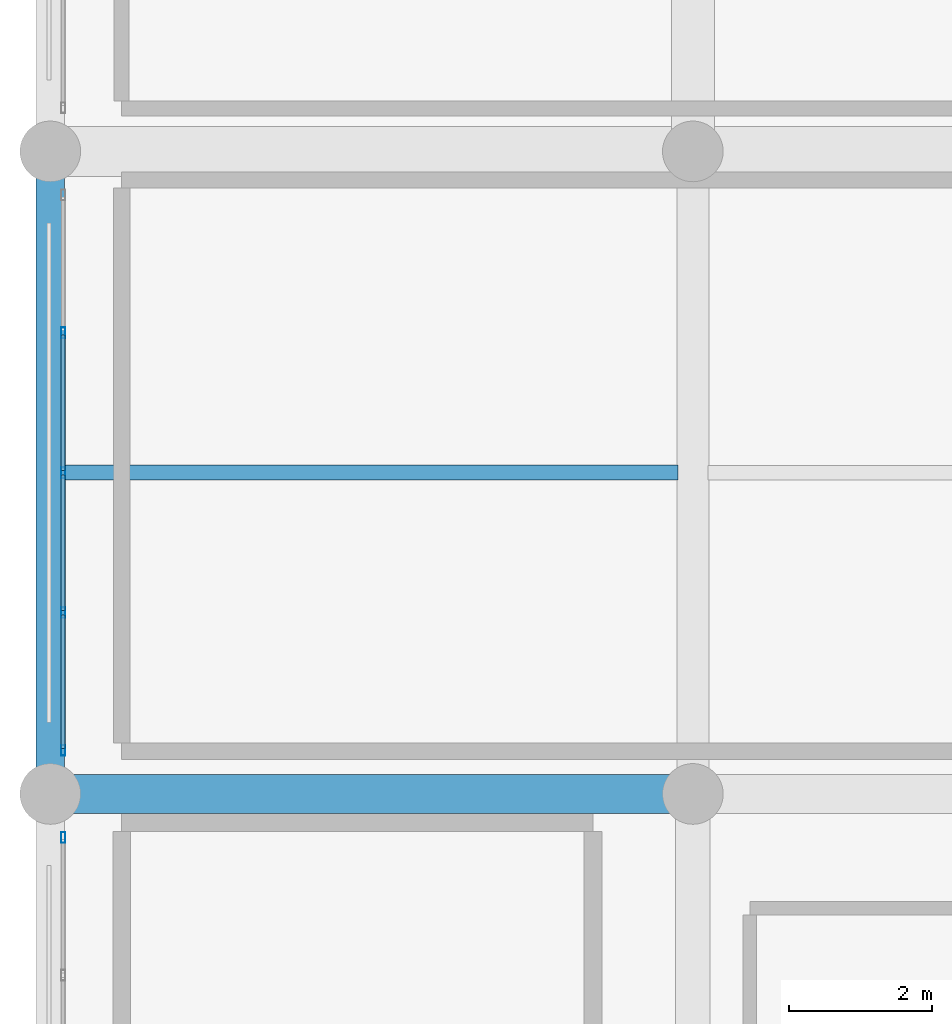
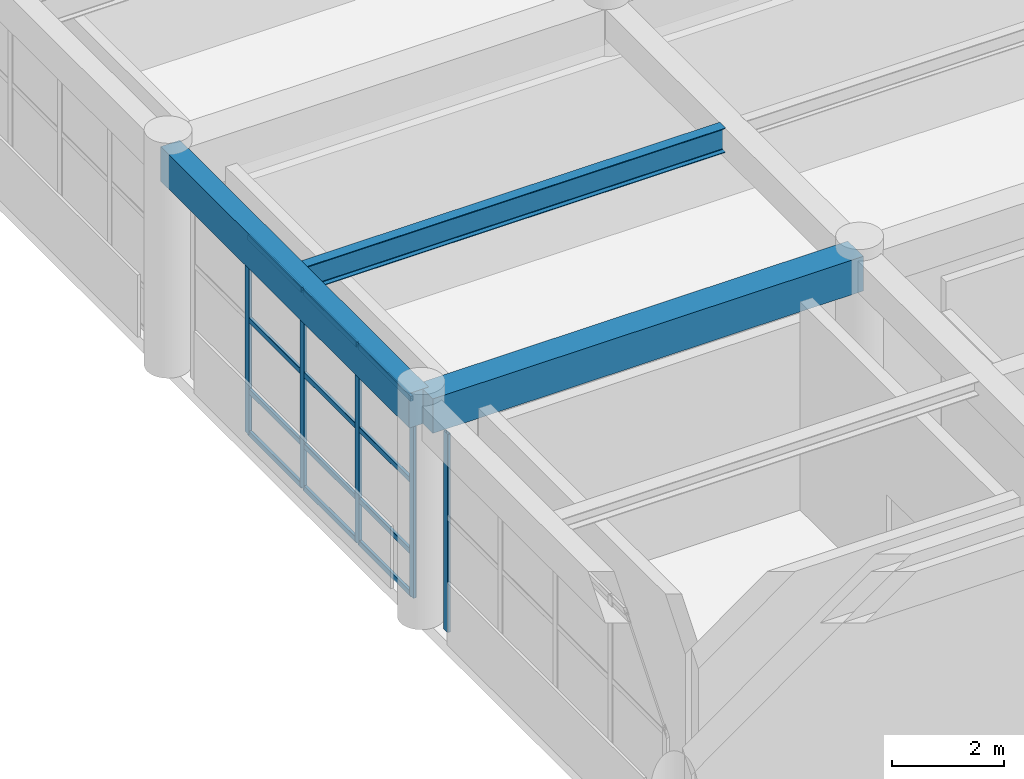
# One storey, part 17 of 128: 17 members, 3 beams, 2 elements without a shape of their own.
"""IFC4 building model written with IfcOpenShell, lengths in metres."""

from ifc_helpers import new_model, si_unit, direction, frame, origin, origin_2d, place, context, subcontext, project, spatial, rectangle, hollow_rectangle, i_section, extrude, material, material_profile, profile_set, type_object, element, aggregate, save


model = new_model("IFC4")

# Units and contexts
model_context = context("Model", 3, precision=1e-05, world=origin(), true_north=direction((0.0, 1.0)))
body_context = subcontext(model_context, "Body", "Model", "MODEL_VIEW")
ifc_project = project(units=[si_unit("LENGTHUNIT", "METRE"), si_unit("AREAUNIT", "SQUARE_METRE"), si_unit("VOLUMEUNIT", "CUBIC_METRE"), si_unit("PLANEANGLEUNIT", "RADIAN"), si_unit("MASSUNIT", "GRAM", prefix="KILO")], contexts=[model_context])

# Site, building, storey
site_placement = place(None, origin())
site = spatial("IfcSite", under=ifc_project, at=site_placement, CompositionType="ELEMENT")
building_placement = place(site_placement, origin())
building = spatial("IfcBuilding", under=site, at=building_placement, Name="Miravela Opera House", CompositionType="ELEMENT")
storey_placement = place(building_placement, origin())
storey = spatial("IfcBuildingStorey", under=building, at=storey_placement, Name="L00", CompositionType="ELEMENT", Elevation=0.0)

# Curtain wall, member
ifc_material_1 = material(Name="Anodised architectural bronze aluminium 6063-T6", Category="aluminium")
curtain_wall_type = type_object("IfcCurtainWallType", Name="ARC-CW-07", PredefinedType="NOTDEFINED", material=ifc_material_1)
curtain_wall_1_placement = place(storey_placement, origin())
curtain_wall_1 = element("IfcCurtainWall", 1, at=curtain_wall_1_placement, inside=storey, type_object=curtain_wall_type, Name="Courtyard Arcade Curtain Wall CW-L00-192", PredefinedType="NOTDEFINED")
ifc_material_profile_1 = material_profile(ifc_material_1, hollow_rectangle(XDim=0.06005859375, YDim=0.14990234375, WallThickness=0.00390625, InnerFilletRadius=0.001953125, OuterFilletRadius=0.00390625, at=origin_2d()), Name="CWM-60X150")
ifc_profile_set_1 = profile_set([ifc_material_profile_1])
member_type_1 = type_object("IfcMemberType", Name="ARC-CWM-150", PredefinedType="MULLION", material=ifc_profile_set_1)
member_1_placement = place(storey_placement, frame((0.179931640625, 8.389892578125, 0.0), z_axis=(0.0, 0.0, 1.0), x_axis=(-1.0, 0.0, 0.0)))
member_1 = element("IfcMember", 2, at=member_1_placement, type_object=member_type_1, Name="CW-07 mullion 5", PredefinedType="MULLION", context=body_context, shape_type="SweptSolid", body=[
    extrude(hollow_rectangle(XDim=0.06005859375, YDim=0.14990234375, WallThickness=0.00390625, InnerFilletRadius=0.001953125, OuterFilletRadius=0.00390625, at=origin_2d()), origin(), (0.0, 0.0, 1.0), 4.300048828125),
])
aggregate(curtain_wall_1, [member_1])

# Curtain wall, members
curtain_wall_2_placement = place(storey_placement, origin())
curtain_wall_2 = element("IfcCurtainWall", 3, at=curtain_wall_2_placement, inside=storey, type_object=curtain_wall_type, Name="Courtyard Arcade Curtain Wall CW-L00-193", PredefinedType="NOTDEFINED")
member_2_placement = place(storey_placement, frame((0.179931640625, 9.610107421875, 0.0), z_axis=(0.0, 0.0, 1.0), x_axis=(-1.0, 0.0, 0.0)))
member_2 = element("IfcMember", 4, at=member_2_placement, type_object=member_type_1, Name="CW-07 mullion 1", PredefinedType="MULLION", context=body_context, shape_type="SweptSolid", body=[
    extrude(hollow_rectangle(XDim=0.06005859375, YDim=0.14990234375, WallThickness=0.00390625, InnerFilletRadius=0.001953125, OuterFilletRadius=0.00390625, at=origin_2d()), origin(), (0.0, 0.0, 1.0), 4.300048828125),
])
member_3_placement = place(storey_placement, frame((0.179931640625, 11.5400390625, 0.0), z_axis=(0.0, 0.0, 1.0), x_axis=(-1.0, 0.0, 0.0)))
member_3 = element("IfcMember", 5, at=member_3_placement, type_object=member_type_1, Name="CW-07 mullion 2", PredefinedType="MULLION", context=body_context, shape_type="SweptSolid", body=[
    extrude(hollow_rectangle(XDim=0.06005859375, YDim=0.14990234375, WallThickness=0.00390625, InnerFilletRadius=0.001953125, OuterFilletRadius=0.00390625, at=origin_2d()), origin(), (0.0, 0.0, 1.0), 4.300048828125),
])
member_4_placement = place(storey_placement, frame((0.179931640625, 13.5, 0.0), z_axis=(0.0, 0.0, 1.0), x_axis=(-1.0, 0.0, 0.0)))
member_4 = element("IfcMember", 6, at=member_4_placement, type_object=member_type_1, Name="CW-07 mullion 3", PredefinedType="MULLION", context=body_context, shape_type="SweptSolid", body=[
    extrude(hollow_rectangle(XDim=0.06005859375, YDim=0.14990234375, WallThickness=0.00390625, InnerFilletRadius=0.001953125, OuterFilletRadius=0.00390625, at=origin_2d()), origin(), (0.0, 0.0, 1.0), 4.300048828125),
])
member_5_placement = place(storey_placement, frame((0.179931640625, 15.4599609375, 0.0), z_axis=(0.0, 0.0, 1.0), x_axis=(-1.0, 0.0, 0.0)))
member_5 = element("IfcMember", 7, at=member_5_placement, type_object=member_type_1, Name="CW-07 mullion 4", PredefinedType="MULLION", context=body_context, shape_type="SweptSolid", body=[
    extrude(hollow_rectangle(XDim=0.06005859375, YDim=0.14990234375, WallThickness=0.00390625, InnerFilletRadius=0.001953125, OuterFilletRadius=0.00390625, at=origin_2d()), origin(), (0.0, 0.0, 1.0), 4.300048828125),
])
ifc_material_profile_2 = material_profile(ifc_material_1, hollow_rectangle(XDim=0.06005859375, YDim=0.114990234375, WallThickness=0.00390625, InnerFilletRadius=0.001953125, OuterFilletRadius=0.00390625, at=origin_2d()), Name="CWT-60X115")
ifc_profile_set_2 = profile_set([ifc_material_profile_2])
member_type_2 = type_object("IfcMemberType", Name="ARC-CWT-115", PredefinedType="USERDEFINED", material=ifc_profile_set_2)
member_6_placement = place(storey_placement, frame((0.179931640625, 9.639892578125, 0.030029296875), z_axis=(0.0, 1.0, 0.0), x_axis=(-1.0, 0.0, 0.0)))
member_6 = element("IfcMember", 8, at=member_6_placement, type_object=member_type_2, Name="CW-07 transom 1.1", ObjectType="TRANSOM", PredefinedType="USERDEFINED", context=body_context, shape_type="SweptSolid", body=[
    extrude(hollow_rectangle(XDim=0.06005859375, YDim=0.114990234375, WallThickness=0.00390625, InnerFilletRadius=0.001953125, OuterFilletRadius=0.00390625, at=origin_2d()), origin(), (0.0, 0.0, 1.0), 1.8701171875),
])
member_7_placement = place(storey_placement, frame((0.179931640625, 9.639892578125, 0.949951171875), z_axis=(0.0, 1.0, 0.0), x_axis=(-1.0, 0.0, 0.0)))
member_7 = element("IfcMember", 9, at=member_7_placement, type_object=member_type_2, Name="CW-07 transom 1.2", ObjectType="TRANSOM", PredefinedType="USERDEFINED", context=body_context, shape_type="SweptSolid", body=[
    extrude(hollow_rectangle(XDim=0.06005859375, YDim=0.114990234375, WallThickness=0.00390625, InnerFilletRadius=0.001953125, OuterFilletRadius=0.00390625, at=origin_2d()), origin(), (0.0, 0.0, 1.0), 1.8701171875),
])
member_8_placement = place(storey_placement, frame((0.179931640625, 9.639892578125, 2.493896484375), z_axis=(0.0, 1.0, 0.0), x_axis=(-1.0, 0.0, 0.0)))
member_8 = element("IfcMember", 10, at=member_8_placement, type_object=member_type_2, Name="CW-07 transom 1.3", ObjectType="TRANSOM", PredefinedType="USERDEFINED", context=body_context, shape_type="SweptSolid", body=[
    extrude(hollow_rectangle(XDim=0.06005859375, YDim=0.114990234375, WallThickness=0.00390625, InnerFilletRadius=0.001953125, OuterFilletRadius=0.00390625, at=origin_2d()), origin(), (0.0, 0.0, 1.0), 1.8701171875),
])
member_9_placement = place(storey_placement, frame((0.179931640625, 9.639892578125, 4.27001953125), z_axis=(0.0, 1.0, 0.0), x_axis=(-1.0, 0.0, 0.0)))
member_9 = element("IfcMember", 11, at=member_9_placement, type_object=member_type_2, Name="CW-07 transom 1.4", ObjectType="TRANSOM", PredefinedType="USERDEFINED", context=body_context, shape_type="SweptSolid", body=[
    extrude(hollow_rectangle(XDim=0.06005859375, YDim=0.114990234375, WallThickness=0.00390625, InnerFilletRadius=0.001953125, OuterFilletRadius=0.00390625, at=origin_2d()), origin(), (0.0, 0.0, 1.0), 1.8701171875),
])
member_10_placement = place(storey_placement, frame((0.179931640625, 11.570068359375, 0.030029296875), z_axis=(0.0, 1.0, 0.0), x_axis=(-1.0, 0.0, 0.0)))
member_10 = element("IfcMember", 12, at=member_10_placement, type_object=member_type_2, Name="CW-07 transom 2.1", ObjectType="TRANSOM", PredefinedType="USERDEFINED", context=body_context, shape_type="SweptSolid", body=[
    extrude(hollow_rectangle(XDim=0.06005859375, YDim=0.114990234375, WallThickness=0.00390625, InnerFilletRadius=0.001953125, OuterFilletRadius=0.00390625, at=origin_2d()), origin(), (0.0, 0.0, 1.0), 1.89990234375),
])
member_11_placement = place(storey_placement, frame((0.179931640625, 11.570068359375, 0.949951171875), z_axis=(0.0, 1.0, 0.0), x_axis=(-1.0, 0.0, 0.0)))
member_11 = element("IfcMember", 13, at=member_11_placement, type_object=member_type_2, Name="CW-07 transom 2.2", ObjectType="TRANSOM", PredefinedType="USERDEFINED", context=body_context, shape_type="SweptSolid", body=[
    extrude(hollow_rectangle(XDim=0.06005859375, YDim=0.114990234375, WallThickness=0.00390625, InnerFilletRadius=0.001953125, OuterFilletRadius=0.00390625, at=origin_2d()), origin(), (0.0, 0.0, 1.0), 1.89990234375),
])
member_12_placement = place(storey_placement, frame((0.179931640625, 11.570068359375, 2.493896484375), z_axis=(0.0, 1.0, 0.0), x_axis=(-1.0, 0.0, 0.0)))
member_12 = element("IfcMember", 14, at=member_12_placement, type_object=member_type_2, Name="CW-07 transom 2.3", ObjectType="TRANSOM", PredefinedType="USERDEFINED", context=body_context, shape_type="SweptSolid", body=[
    extrude(hollow_rectangle(XDim=0.06005859375, YDim=0.114990234375, WallThickness=0.00390625, InnerFilletRadius=0.001953125, OuterFilletRadius=0.00390625, at=origin_2d()), origin(), (0.0, 0.0, 1.0), 1.89990234375),
])
member_13_placement = place(storey_placement, frame((0.179931640625, 11.570068359375, 4.27001953125), z_axis=(0.0, 1.0, 0.0), x_axis=(-1.0, 0.0, 0.0)))
member_13 = element("IfcMember", 15, at=member_13_placement, type_object=member_type_2, Name="CW-07 transom 2.4", ObjectType="TRANSOM", PredefinedType="USERDEFINED", context=body_context, shape_type="SweptSolid", body=[
    extrude(hollow_rectangle(XDim=0.06005859375, YDim=0.114990234375, WallThickness=0.00390625, InnerFilletRadius=0.001953125, OuterFilletRadius=0.00390625, at=origin_2d()), origin(), (0.0, 0.0, 1.0), 1.89990234375),
])
member_14_placement = place(storey_placement, frame((0.179931640625, 13.530029296875, 0.030029296875), z_axis=(0.0, 1.0, 0.0), x_axis=(-1.0, 0.0, 0.0)))
member_14 = element("IfcMember", 16, at=member_14_placement, type_object=member_type_2, Name="CW-07 transom 3.1", ObjectType="TRANSOM", PredefinedType="USERDEFINED", context=body_context, shape_type="SweptSolid", body=[
    extrude(hollow_rectangle(XDim=0.06005859375, YDim=0.114990234375, WallThickness=0.00390625, InnerFilletRadius=0.001953125, OuterFilletRadius=0.00390625, at=origin_2d()), origin(), (0.0, 0.0, 1.0), 1.89990234375),
])
member_15_placement = place(storey_placement, frame((0.179931640625, 13.530029296875, 0.949951171875), z_axis=(0.0, 1.0, 0.0), x_axis=(-1.0, 0.0, 0.0)))
member_15 = element("IfcMember", 17, at=member_15_placement, type_object=member_type_2, Name="CW-07 transom 3.2", ObjectType="TRANSOM", PredefinedType="USERDEFINED", context=body_context, shape_type="SweptSolid", body=[
    extrude(hollow_rectangle(XDim=0.06005859375, YDim=0.114990234375, WallThickness=0.00390625, InnerFilletRadius=0.001953125, OuterFilletRadius=0.00390625, at=origin_2d()), origin(), (0.0, 0.0, 1.0), 1.89990234375),
])
member_16_placement = place(storey_placement, frame((0.179931640625, 13.530029296875, 2.493896484375), z_axis=(0.0, 1.0, 0.0), x_axis=(-1.0, 0.0, 0.0)))
member_16 = element("IfcMember", 18, at=member_16_placement, type_object=member_type_2, Name="CW-07 transom 3.3", ObjectType="TRANSOM", PredefinedType="USERDEFINED", context=body_context, shape_type="SweptSolid", body=[
    extrude(hollow_rectangle(XDim=0.06005859375, YDim=0.114990234375, WallThickness=0.00390625, InnerFilletRadius=0.001953125, OuterFilletRadius=0.00390625, at=origin_2d()), origin(), (0.0, 0.0, 1.0), 1.89990234375),
])
member_17_placement = place(storey_placement, frame((0.179931640625, 13.530029296875, 4.27001953125), z_axis=(0.0, 1.0, 0.0), x_axis=(-1.0, 0.0, 0.0)))
member_17 = element("IfcMember", 19, at=member_17_placement, type_object=member_type_2, Name="CW-07 transom 3.4", ObjectType="TRANSOM", PredefinedType="USERDEFINED", context=body_context, shape_type="SweptSolid", body=[
    extrude(hollow_rectangle(XDim=0.06005859375, YDim=0.114990234375, WallThickness=0.00390625, InnerFilletRadius=0.001953125, OuterFilletRadius=0.00390625, at=origin_2d()), origin(), (0.0, 0.0, 1.0), 1.89990234375),
])
aggregate(curtain_wall_2, [member_2, member_3, member_4, member_5, member_6, member_7, member_8, member_9, member_10, member_11, member_12, member_13, member_14, member_15, member_16, member_17])

# Beams
ifc_material_2 = material(Name="Concrete C35/45", Category="concrete")
ifc_material_profile_3 = material_profile(ifc_material_2, rectangle(XDim=0.550048828125, YDim=0.75, at=origin_2d()), Name="RC-BM-550X750")
ifc_profile_set_3 = profile_set([ifc_material_profile_3])
beam_type_1 = type_object("IfcBeamType", Name="STR-BM-RC550X750", PredefinedType="BEAM", material=ifc_profile_set_3)
beam_1_placement = place(storey_placement, frame((0.080078125, 9.0, 4.47509765625), z_axis=(1.0, 0.0, 0.0), x_axis=(0.0, 1.0, 0.0)))
element("IfcBeam", 20, at=beam_1_placement, inside=storey, type_object=beam_type_1, Name="Floor Girder L00 1-2/B", PredefinedType="BEAM", context=body_context, shape_type="SweptSolid", body=[
    extrude(rectangle(XDim=0.550048828125, YDim=0.75, at=origin_2d()), origin(), (0.0, 0.0, 1.0), 8.83984375),
])
ifc_material_3 = material(Name="Structural steel ASTM A992 Gr. 50", Category="steel")
ifc_material_profile_4 = material_profile(ifc_material_3, i_section(OverallWidth=0.208984375, OverallDepth=0.532958984375, WebThickness=0.01025390625, FlangeThickness=0.015625, FilletRadius=0.014892578125, at=origin_2d()), Name="W530X92")
ifc_profile_set_4 = profile_set([ifc_material_profile_4])
beam_type_2 = type_object("IfcBeamType", Name="STR-BM-W530X92", PredefinedType="BEAM", material=ifc_profile_set_4)
beam_2_placement = place(storey_placement, frame((0.18505859375, 13.5, 4.58349609375), z_axis=(1.0, 0.0, 0.0), x_axis=(0.0, 1.0, 0.0)))
element("IfcBeam", 21, at=beam_2_placement, inside=storey, type_object=beam_type_2, Name="Secondary Floor Joist L00 1-2/B-C", PredefinedType="BEAM", context=body_context, shape_type="SweptSolid", body=[
    extrude(i_section(OverallWidth=0.208984375, OverallDepth=0.532958984375, WebThickness=0.01025390625, FlangeThickness=0.015625, FilletRadius=0.014892578125, at=origin_2d()), origin(), (0.0, 0.0, 1.0), 8.60498046875),
])
ifc_material_profile_5 = material_profile(ifc_material_2, rectangle(XDim=0.39990234375, YDim=0.75, at=origin_2d()), Name="RC-SPN-400X750")
ifc_profile_set_5 = profile_set([ifc_material_profile_5])
beam_type_3 = type_object("IfcBeamType", Name="STR-SPN-RC400X750", PredefinedType="SPANDREL", material=ifc_profile_set_5)
beam_3_placement = place(storey_placement, frame((0.0, 9.080078125, 4.47509765625), z_axis=(0.0, 1.0, 0.0), x_axis=(-1.0, 0.0, 0.0)))
element("IfcBeam", 22, at=beam_3_placement, inside=storey, type_object=beam_type_3, Name="Floor Girder L00 1/B-C", PredefinedType="SPANDREL", context=body_context, shape_type="SweptSolid", body=[
    extrude(rectangle(XDim=0.39990234375, YDim=0.75, at=origin_2d()), origin(), (0.0, 0.0, 1.0), 8.83984375),
])

save(model, "model.ifc")
